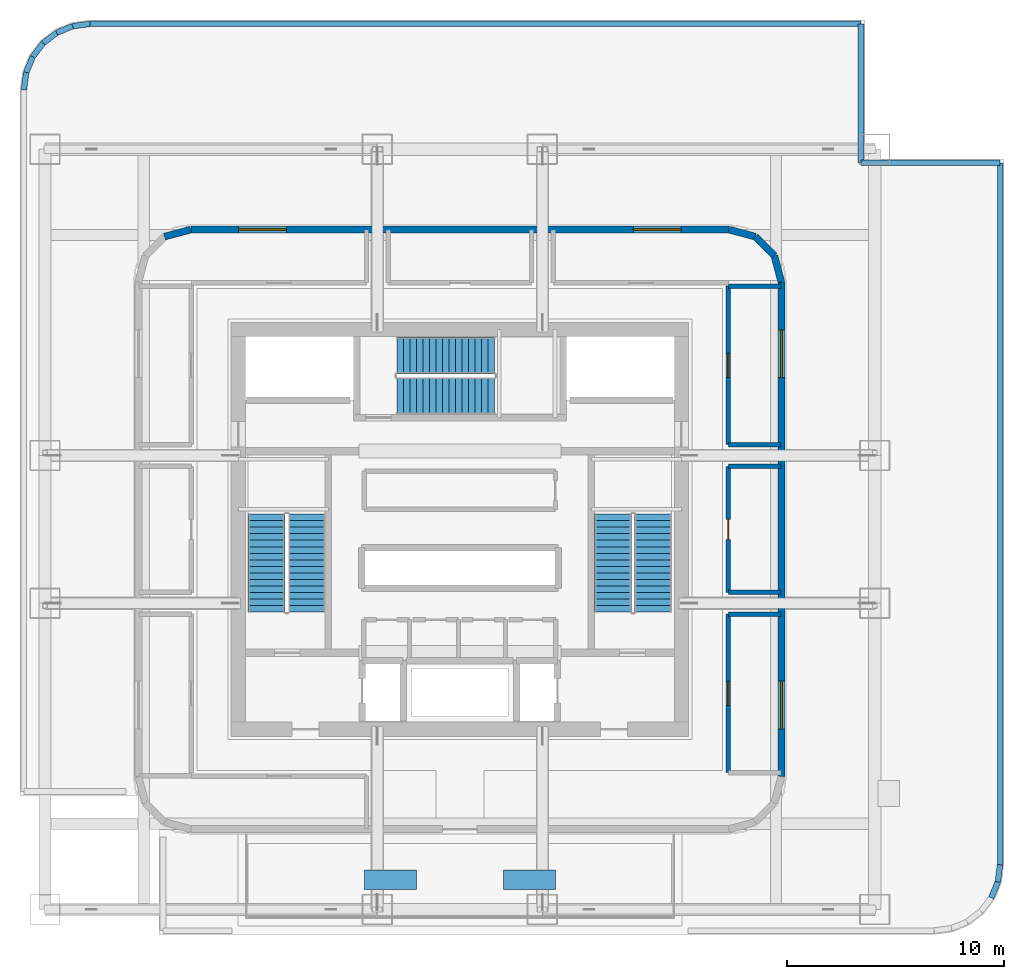
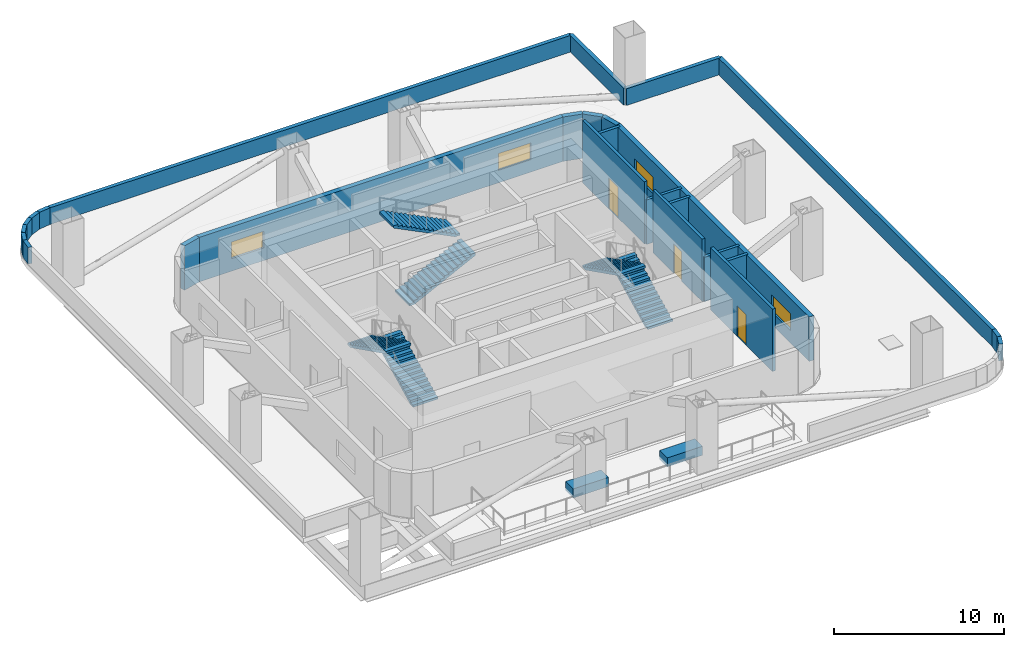
# One storey, part 7 of 10: 26 walls, 6 stair flights, 4 windows, 3 doors, 2 discrete accessories, 7 openings, 3 elements without a shape of their own.
"""IFC4 building model written with IfcOpenShell, lengths in metres."""

import ifcopenshell
import ifcopenshell.guid

model = None  # the IFC model being written
_history = None  # IfcOwnerHistory: only IFC2X3 demands one
_inside = {}  # id of a spatial element -> (the spatial element, [elements in it])
_under = {}  # id of a project, library or spatial element -> (it, [spatial elements below it])
_declared = {}  # id of a project -> (the project, [libraries it declares])
_typed = {}  # id of a type object -> (the type object, [elements of that type])
_made_of = {}  # id of a material, layer set ... -> (it, [elements and type objects made of it])


def new_model(schema):
    """Start an empty IFC model of exactly this schema.

    Asked for "IFC4X3", IfcOpenShell would pick the latest addendum, in which some entities
    have other attributes; the version numbers below select the first issue.
    IFC2X3 requires an IfcOwnerHistory on every rooted entity: one is made here for all.
    """
    global model, _history
    if schema == "IFC4X3":
        model = ifcopenshell.file(schema_version=(4, 3, 0, 0))
    else:
        model = ifcopenshell.file(schema=schema)
    _inside.clear()
    _under.clear()
    _declared.clear()
    _typed.clear()
    _made_of.clear()
    _history = None
    if model.schema == "IFC2X3":
        org = make("IfcOrganization", Name="unknown")
        user = make(
            "IfcPersonAndOrganization",
            ThePerson=make("IfcPerson", FamilyName="unknown"),
            TheOrganization=org,
        )
        app = make(
            "IfcApplication",
            ApplicationDeveloper=org,
            Version="unknown",
            ApplicationFullName="unknown",
            ApplicationIdentifier="unknown",
        )
        _history = make(
            "IfcOwnerHistory",
            OwningUser=user,
            OwningApplication=app,
            ChangeAction="ADDED",
            CreationDate=0,
        )
    return model


def make(cls, **values):
    """One entity of the class cls with the attributes given. An attribute that is None is left unset."""
    return model.create_entity(
        cls, **{name: value for name, value in values.items() if value is not None}
    )


def rooted(cls, **values):
    """An entity with a GlobalId (a new one), such as an element, a storey or a relation."""
    return make(cls, GlobalId=ifcopenshell.guid.new(), OwnerHistory=_history, **values)


def si_unit(unit_type, name, prefix=None):
    """IfcSIUnit, for example si_unit("LENGTHUNIT", "METRE", prefix="MILLI")."""
    return make("IfcSIUnit", UnitType=unit_type, Prefix=prefix, Name=name)


def assignment(units):
    """IfcUnitAssignment: the units of a project."""
    return None if units is None else make("IfcUnitAssignment", Units=units)


def point(xyz):
    """IfcCartesianPoint."""
    return None if xyz is None else make("IfcCartesianPoint", Coordinates=xyz)


def direction(xyz):
    """IfcDirection."""
    return None if xyz is None else make("IfcDirection", DirectionRatios=xyz)


def frame(location, z_axis=None, x_axis=None):
    """IfcAxis2Placement3D, a coordinate frame: its origin and axes. An axis left out is left unset."""
    return make(
        "IfcAxis2Placement3D",
        Location=point(location),
        Axis=direction(z_axis),
        RefDirection=direction(x_axis),
    )


def frame_2d(location, x_axis=None):
    """IfcAxis2Placement2D, a coordinate frame in the plane: its origin and x axis."""
    return make(
        "IfcAxis2Placement2D", Location=point(location), RefDirection=direction(x_axis)
    )


def origin():
    """The frame at (0, 0, 0) with its axes left unset."""
    return frame((0.0, 0.0, 0.0))


def origin_2d():
    """The frame at (0, 0) in the plane with its x axis left unset."""
    return frame_2d((0.0, 0.0))


def place(relative_to, where):
    """IfcLocalPlacement: puts the frame where relative to a parent placement (None: the world)."""
    return make(
        "IfcLocalPlacement", PlacementRelTo=relative_to, RelativePlacement=where
    )


def context(
    kind, dimensions, precision=None, world=None, true_north=None, identifier=None
):
    """IfcGeometricRepresentationContext, for example the 3D "Model" context."""
    return make(
        "IfcGeometricRepresentationContext",
        ContextIdentifier=identifier,
        ContextType=kind,
        CoordinateSpaceDimension=dimensions,
        Precision=precision,
        WorldCoordinateSystem=world,
        TrueNorth=true_north,
    )


def subcontext(parent, identifier, kind, view, scale=None):
    """IfcGeometricRepresentationSubContext, for example "Body" below "Model"."""
    return make(
        "IfcGeometricRepresentationSubContext",
        ContextIdentifier=identifier,
        ContextType=kind,
        ParentContext=parent,
        TargetScale=scale,
        TargetView=view,
    )


def project(units=None, contexts=None):
    """IfcProject with its units and contexts."""
    return rooted(
        "IfcProject",
        Name="project",
        RepresentationContexts=contexts,
        UnitsInContext=assignment(units),
    )


def spatial(cls, under=None, at=None, **own):
    """A site, building, storey or space (cls), placed at a placement, below another one or the project."""
    s = rooted(cls, ObjectPlacement=at, **own)
    if under is not None:
        _under.setdefault(under.id(), (under, []))[1].append(s)
    return s


def polyline(points):
    """IfcPolyline through the points."""
    return make("IfcPolyline", Points=[point(p) for p in points])


def profile(cls, at=None, kind="AREA", **sizes):
    """A parametric profile (cls). Its sizes go by their IFC names, for example OverallWidth=200.0."""
    return make(cls, ProfileType=kind, Position=at, **sizes)


def rectangle(**sizes):
    """IfcRectangleProfileDef."""
    return profile("IfcRectangleProfileDef", **sizes)


def outline(outer, holes=None, kind="AREA"):
    """IfcArbitraryClosedProfileDef: a profile drawn as a closed curve; with holes, ...WithVoids."""
    if holes is None:
        return make("IfcArbitraryClosedProfileDef", ProfileType=kind, OuterCurve=outer)
    return make(
        "IfcArbitraryProfileDefWithVoids",
        ProfileType=kind,
        OuterCurve=outer,
        InnerCurves=holes,
    )


def extrude(swept, where, along, depth):
    """IfcExtrudedAreaSolid: the profile swept, set in the frame where, extruded along a direction by depth."""
    return make(
        "IfcExtrudedAreaSolid",
        SweptArea=swept,
        Position=where,
        ExtrudedDirection=direction(along),
        Depth=depth,
    )


def shape(context_of_items, identifier, shape_type, items):
    """IfcShapeRepresentation: the items that make up one representation, for example the "Body"."""
    return make(
        "IfcShapeRepresentation",
        ContextOfItems=context_of_items,
        RepresentationIdentifier=identifier,
        RepresentationType=shape_type,
        Items=items,
    )


def material(Name=None, Category=None):
    """IfcMaterial."""
    return make("IfcMaterial", Name=Name, Category=Category)


def layer(
    of_material, thickness, ventilated=None, Name=None, Category=None, Priority=None
):
    """IfcMaterialLayer: one layer of a wall or slab, of a material (None: an air gap)."""
    return make(
        "IfcMaterialLayer",
        Material=of_material,
        LayerThickness=thickness,
        IsVentilated=ventilated,
        Name=Name,
        Category=Category,
        Priority=Priority,
    )


def layer_set(layers, Name=None):
    """IfcMaterialLayerSet."""
    return make("IfcMaterialLayerSet", MaterialLayers=layers, LayerSetName=Name)


def made_of(thing, what):
    """Note that an element or type object is made of a material, layer set ...; save() writes the relation."""
    if what is not None:
        _made_of.setdefault(what.id(), (what, []))[1].append(thing)
    return thing


def type_object(cls, material=None, **own):
    """A type object (cls), such as IfcWallType, which elements share."""
    return made_of(rooted(cls, **own), material)


def element(
    cls,
    number,
    at=None,
    inside=None,
    cuts=None,
    type_object=None,
    material=None,
    context=None,
    identifier="Body",
    shape_type=None,
    held_by="IfcProductDefinitionShape",
    body=None,
    shapes=None,
    **own,
):
    """One element of the class cls, such as IfcWall. Its Tag is "e" and its number.

    at: its placement. inside: the storey or other place that contains it. cuts: it is an
    opening in that element (IfcRelVoidsElement). A single representation is given by context,
    identifier, shape_type and body (its items); several are given by shapes. held_by: the class
    of the entity that holds the representations. save() writes the other relations.
    """
    e = rooted(cls, Tag="e%d" % number, ObjectPlacement=at, **own)
    if body is not None:
        shapes = [shape(context, identifier, shape_type, body)]
    if shapes is not None:
        e.Representation = make(held_by, Representations=shapes)
    if inside is not None:
        _inside.setdefault(inside.id(), (inside, []))[1].append(e)
    if cuts is not None:
        rooted(
            "IfcRelVoidsElement", RelatingBuildingElement=cuts, RelatedOpeningElement=e
        )
    if type_object is not None:
        _typed.setdefault(type_object.id(), (type_object, []))[1].append(e)
    return made_of(e, material)


def fill(opening, filler):
    """IfcRelFillsElement: the door or window that sits in an opening."""
    return rooted(
        "IfcRelFillsElement",
        RelatingOpeningElement=opening,
        RelatedBuildingElement=filler,
    )


def aggregate(whole, parts):
    """IfcRelAggregates: a whole, such as a stair, and the parts it consists of."""
    return rooted("IfcRelAggregates", RelatingObject=whole, RelatedObjects=parts)


def save(model, path):
    """Write the relations noted so far, then the file.

    IfcRelAggregates (storeys below a building ...), IfcRelContainedInSpatialStructure (elements
    in a storey), IfcRelDefinesByType, IfcRelAssociatesMaterial and IfcRelDeclares: one each for
    every whole, place, type object, material and project.
    """
    for whole, parts in _under.values():
        aggregate(whole, parts)
    for where, things in _inside.values():
        rooted(
            "IfcRelContainedInSpatialStructure",
            RelatedElements=things,
            RelatingStructure=where,
        )
    for kind, things in _typed.values():
        rooted("IfcRelDefinesByType", RelatedObjects=things, RelatingType=kind)
    for what, things in _made_of.values():
        rooted("IfcRelAssociatesMaterial", RelatedObjects=things, RelatingMaterial=what)
    for by, libraries in _declared.values():
        rooted("IfcRelDeclares", RelatingContext=by, RelatedDefinitions=libraries)
    model.write(path)


model = new_model("IFC4")

# Units and contexts
model_context = context("Model", 3, precision=1e-05, world=origin(), true_north=direction((0.0, 1.0)))
body_context = subcontext(model_context, "Body", "Model", "MODEL_VIEW")
ifc_project = project(units=[si_unit("LENGTHUNIT", "METRE"), si_unit("AREAUNIT", "SQUARE_METRE"), si_unit("VOLUMEUNIT", "CUBIC_METRE"), si_unit("PLANEANGLEUNIT", "RADIAN"), si_unit("MASSUNIT", "GRAM", prefix="KILO")], contexts=[model_context])

# Site, building, storey
site_placement = place(None, origin())
site = spatial("IfcSite", under=ifc_project, at=site_placement, CompositionType="ELEMENT")
building_placement = place(site_placement, origin())
building = spatial("IfcBuilding", under=site, at=building_placement, Name="Punatoya Terracotta Tower", CompositionType="ELEMENT")
storey_placement = place(building_placement, frame((0.0, 0.0, 125.39990234375)))
storey = spatial("IfcBuildingStorey", under=building, at=storey_placement, Name="L29", CompositionType="ELEMENT", Elevation=125.39990234375)

# Wall, openings, windows
ifc_material_1 = material(Name="Precast concrete C40/50", Category="concrete")
ifc_layer_1 = layer(ifc_material_1, 0.320068359375)
ifc_layer_set_1 = layer_set([ifc_layer_1], Name="Precast concrete C40/50")
wall_type_1 = type_object("IfcWallType", Name="WL-EXT-320", PredefinedType="SOLIDWALL", material=ifc_layer_set_1)
wall_1_placement = place(storey_placement, frame((14.800048828125, -11.386962890625, 0.0), z_axis=(0.0, 0.0, 1.0), x_axis=(0.0, 1.0, 0.0)))
wall_1 = element("IfcWall", 1, at=wall_1_placement, inside=storey, type_object=wall_type_1, Name="L29 Terracotta Louvre Plant Enclosure E", PredefinedType="SOLIDWALL", context=body_context, shape_type="SweptSolid", body=[
    extrude(rectangle(XDim=22.77392578125, YDim=0.320068359375, at=frame_2d((11.386962890625, 0.0))), origin(), (0.0, 0.0, 1.0), 3.194091796875),
])
opening_1_placement = place(wall_1_placement, frame((2.199951171875, 0.0, 0.89990234375)))
opening_1 = element("IfcOpeningElement", 2, at=opening_1_placement, cuts=wall_1, Name="Opening WN-09", PredefinedType="OPENING", context=body_context, shape_type="SweptSolid", body=[
    extrude(rectangle(XDim=2.199951171875, YDim=1.199951171875, at=frame_2d((1.10009765625, 0.60009765625))), frame((0.0, 0.169921875, 0.0), z_axis=(0.0, -1.0, 0.0), x_axis=(1.0, 0.0, 0.0)), (0.0, 0.0, 1.0), 0.340087890625),
])
opening_2_placement = place(wall_1_placement, frame((18.373779296875, 0.0, 0.89990234375)))
opening_2 = element("IfcOpeningElement", 3, at=opening_2_placement, cuts=wall_1, Name="Opening WN-09", PredefinedType="OPENING", context=body_context, shape_type="SweptSolid", body=[
    extrude(rectangle(XDim=2.199951171875, YDim=1.199951171875, at=frame_2d((1.10009765625, 0.60009765625))), frame((0.0, 0.169921875, 0.0), z_axis=(0.0, -1.0, 0.0), x_axis=(1.0, 0.0, 0.0)), (0.0, 0.0, 1.0), 0.340087890625),
])
ifc_material_2 = material(Name="Aluminium 6063-T6 + Double Low-E Glass", Category="aluminium")
window_type = type_object("IfcWindowType", Name="WIN-CLR-2200", PartitioningType="SINGLE_PANEL", PredefinedType="WINDOW", material=ifc_material_2)
window_1_placement = place(opening_1_placement, origin())
window_1 = element("IfcWindow", 4, at=window_1_placement, inside=storey, type_object=window_type, Name="L29 Refuge Daylight Window E1", OverallHeight=1.199951171875, OverallWidth=2.199951171875, PartitioningType="SINGLE_PANEL", PredefinedType="WINDOW", context=body_context, shape_type="SweptSolid", body=[
    extrude(rectangle(XDim=2.199951171875, YDim=1.199951171875, at=frame_2d((1.10009765625, 0.60009765625))), frame((0.0, 0.030029296875, 0.0), z_axis=(0.0, -1.0, 0.0), x_axis=(1.0, 0.0, 0.0)), (0.0, 0.0, 1.0), 0.06005859375),
])
fill(opening_1, window_1)
window_2_placement = place(opening_2_placement, origin())
window_2 = element("IfcWindow", 5, at=window_2_placement, inside=storey, type_object=window_type, Name="L29 Refuge Daylight Window E2", OverallHeight=1.199951171875, OverallWidth=2.199951171875, PartitioningType="SINGLE_PANEL", PredefinedType="WINDOW", context=body_context, shape_type="SweptSolid", body=[
    extrude(rectangle(XDim=2.199951171875, YDim=1.199951171875, at=frame_2d((1.10009765625, 0.60009765625))), frame((0.0, 0.030029296875, 0.0), z_axis=(0.0, -1.0, 0.0), x_axis=(1.0, 0.0, 0.0)), (0.0, 0.0, 1.0), 0.06005859375),
])
fill(opening_2, window_2)

# Walls
wall_2_placement = place(storey_placement, frame((14.800048828125, 11.386962890625, 0.0), z_axis=(0.0, 0.0, 1.0), x_axis=(-0.25748094776, 0.966283375382, 0.0)))
element("IfcWall", 6, at=wall_2_placement, inside=storey, type_object=wall_type_1, Name="L29 Rounded Terracotta Corner Pier 06", PredefinedType="SOLIDWALL", context=body_context, shape_type="SweptSolid", body=[
    extrude(rectangle(XDim=1.25439453125, YDim=0.320068359375, at=frame_2d((0.627197265625, 0.0))), origin(), (0.0, 0.0, 1.0), 3.194091796875),
])
wall_3_placement = place(storey_placement, frame((14.47705078125, 12.59912109375, 0.0), z_axis=(0.0, 0.0, 1.0), x_axis=(-0.707106781187, 0.707106781187, 0.0)))
element("IfcWall", 7, at=wall_3_placement, inside=storey, type_object=wall_type_1, Name="L29 Rounded Terracotta Corner Pier 07", PredefinedType="SOLIDWALL", context=body_context, shape_type="SweptSolid", body=[
    extrude(rectangle(XDim=1.24169921875, YDim=0.320068359375, at=frame_2d((0.620849609375, 0.0))), origin(), (0.0, 0.0, 1.0), 3.194091796875),
])
wall_4_placement = place(storey_placement, frame((13.59912109375, 13.47705078125, 0.0), z_axis=(0.0, 0.0, 1.0), x_axis=(-0.966283375382, 0.25748094776, 0.0)))
element("IfcWall", 8, at=wall_4_placement, inside=storey, type_object=wall_type_1, Name="L29 Rounded Terracotta Corner Pier 08", PredefinedType="SOLIDWALL", context=body_context, shape_type="SweptSolid", body=[
    extrude(rectangle(XDim=1.25439453125, YDim=0.320068359375, at=frame_2d((0.627197265625, 0.0))), origin(), (0.0, 0.0, 1.0), 3.194091796875),
])

# Wall, openings, windows
wall_5_placement = place(storey_placement, frame((12.386962890625, 13.800048828125, 0.0), z_axis=(0.0, 0.0, 1.0), x_axis=(-1.0, 0.0, 0.0)))
wall_5 = element("IfcWall", 9, at=wall_5_placement, inside=storey, type_object=wall_type_1, Name="L29 Terracotta Louvre Plant Enclosure N", PredefinedType="SOLIDWALL", context=body_context, shape_type="SweptSolid", body=[
    extrude(rectangle(XDim=24.77392578125, YDim=0.320068359375, at=frame_2d((12.386962890625, 0.0))), origin(), (0.0, 0.0, 1.0), 3.194091796875),
])
opening_3_placement = place(wall_5_placement, frame((2.199951171875, 0.0, 0.89990234375)))
opening_3 = element("IfcOpeningElement", 10, at=opening_3_placement, cuts=wall_5, Name="Opening WN-09", PredefinedType="OPENING", context=body_context, shape_type="SweptSolid", body=[
    extrude(rectangle(XDim=2.199951171875, YDim=1.199951171875, at=frame_2d((1.10009765625, 0.60009765625))), frame((0.0, 0.169921875, 0.0), z_axis=(0.0, -1.0, 0.0), x_axis=(1.0, 0.0, 0.0)), (0.0, 0.0, 1.0), 0.340087890625),
])
opening_4_placement = place(wall_5_placement, frame((20.373779296875, 0.0, 0.89990234375)))
opening_4 = element("IfcOpeningElement", 11, at=opening_4_placement, cuts=wall_5, Name="Opening WN-09", PredefinedType="OPENING", context=body_context, shape_type="SweptSolid", body=[
    extrude(rectangle(XDim=2.199951171875, YDim=1.199951171875, at=frame_2d((1.10009765625, 0.60009765625))), frame((0.0, 0.169921875, 0.0), z_axis=(0.0, -1.0, 0.0), x_axis=(1.0, 0.0, 0.0)), (0.0, 0.0, 1.0), 0.340087890625),
])
window_3_placement = place(opening_3_placement, origin())
window_3 = element("IfcWindow", 12, at=window_3_placement, inside=storey, type_object=window_type, Name="L29 Refuge Daylight Window N1", OverallHeight=1.199951171875, OverallWidth=2.199951171875, PartitioningType="SINGLE_PANEL", PredefinedType="WINDOW", context=body_context, shape_type="SweptSolid", body=[
    extrude(rectangle(XDim=2.199951171875, YDim=1.199951171875, at=frame_2d((1.10009765625, 0.60009765625))), frame((0.0, 0.030029296875, 0.0), z_axis=(0.0, -1.0, 0.0), x_axis=(1.0, 0.0, 0.0)), (0.0, 0.0, 1.0), 0.06005859375),
])
fill(opening_3, window_3)
window_4_placement = place(opening_4_placement, origin())
window_4 = element("IfcWindow", 13, at=window_4_placement, inside=storey, type_object=window_type, Name="L29 Refuge Daylight Window N2", OverallHeight=1.199951171875, OverallWidth=2.199951171875, PartitioningType="SINGLE_PANEL", PredefinedType="WINDOW", context=body_context, shape_type="SweptSolid", body=[
    extrude(rectangle(XDim=2.199951171875, YDim=1.199951171875, at=frame_2d((1.10009765625, 0.60009765625))), frame((0.0, 0.030029296875, 0.0), z_axis=(0.0, -1.0, 0.0), x_axis=(1.0, 0.0, 0.0)), (0.0, 0.0, 1.0), 0.06005859375),
])
fill(opening_4, window_4)

# Walls
wall_6_placement = place(storey_placement, frame((-12.386962890625, 13.800048828125, 0.0), z_axis=(0.0, 0.0, 1.0), x_axis=(-0.966283375382, -0.25748094776, 0.0)))
element("IfcWall", 14, at=wall_6_placement, inside=storey, type_object=wall_type_1, Name="L29 Rounded Terracotta Corner Pier 10", PredefinedType="SOLIDWALL", context=body_context, shape_type="SweptSolid", body=[
    extrude(rectangle(XDim=1.25439453125, YDim=0.320068359375, at=frame_2d((0.627197265625, 0.0))), origin(), (0.0, 0.0, 1.0), 3.194091796875),
])
ifc_material_3 = material(Name="Concrete C40/50", Category="concrete")
ifc_layer_2 = layer(ifc_material_3, 0.199951171875)
ifc_layer_set_2 = layer_set([ifc_layer_2], Name="Concrete C40/50")
wall_type_2 = type_object("IfcWallType", Name="WL-INT-200", PredefinedType="SOLIDWALL", material=ifc_layer_set_2)
wall_7_placement = place(storey_placement, frame((12.360107421875, -3.89990234375, 0.0), z_axis=(0.0, 0.0, 1.0), x_axis=(1.0, 0.0, 0.0)))
element("IfcWall", 15, at=wall_7_placement, inside=storey, type_object=wall_type_2, Name="L29 East Outrigger Truss & Heat-Exchanger Plant Room (South Bay) Partition 25", PredefinedType="SOLIDWALL", context=body_context, shape_type="SweptSolid", body=[
    extrude(rectangle(XDim=2.419921875, YDim=0.199951171875, at=frame_2d((1.2099609375, 0.0))), origin(), (0.0, 0.0, 1.0), 3.194091796875),
])

# Wall, opening, door
wall_8_placement = place(storey_placement, frame((12.360107421875, -11.199951171875, 0.0), z_axis=(0.0, 0.0, 1.0), x_axis=(0.0, 1.0, 0.0)))
wall_8 = element("IfcWall", 16, at=wall_8_placement, inside=storey, type_object=wall_type_2, Name="L29 East Outrigger Truss & Heat-Exchanger Plant Room (South Bay) Partition 27", PredefinedType="SOLIDWALL", context=body_context, shape_type="SweptSolid", body=[
    extrude(rectangle(XDim=7.300048828125, YDim=0.199951171875, at=frame_2d((3.64990234375, 0.0))), origin(), (0.0, 0.0, 1.0), 4.47998046875),
])
opening_5_placement = place(wall_8_placement, frame((3.10009765625, 0.0, 0.0)))
opening_5 = element("IfcOpeningElement", 17, at=opening_5_placement, cuts=wall_8, Name="Opening FD-P1", PredefinedType="OPENING", context=body_context, shape_type="SweptSolid", body=[
    extrude(rectangle(XDim=1.10009765625, YDim=2.199951171875, at=frame_2d((0.550048828125, 1.10009765625))), frame((0.0, 0.10986328125, 0.0), z_axis=(0.0, -1.0, 0.0), x_axis=(1.0, 0.0, 0.0)), (0.0, 0.0, 1.0), 0.219970703125),
])
ifc_material_4 = material(Name="Galvanised Steel Plant Fire Door", Category="steel")
door_type_1 = type_object("IfcDoorType", Name="DR-PLT-1100", OperationType="NOTDEFINED", PredefinedType="DOOR", material=ifc_material_4)
door_1_placement = place(opening_5_placement, origin())
door_1 = element("IfcDoor", 18, at=door_1_placement, inside=storey, type_object=door_type_1, Name="L29 East Outrigger Truss & Heat-Exchanger Plant Room (South Bay) Fire Door", OperationType="SINGLE_SWING_LEFT", OverallHeight=2.199951171875, OverallWidth=1.10009765625, PredefinedType="DOOR", context=body_context, shape_type="SweptSolid", body=[
    extrude(rectangle(XDim=1.10009765625, YDim=2.199951171875, at=frame_2d((0.550048828125, 1.10009765625))), frame((0.0, 0.02490234375, 0.0), z_axis=(0.0, -1.0, 0.0), x_axis=(1.0, 0.0, 0.0)), (0.0, 0.0, 1.0), 0.050048828125),
])
fill(opening_5, door_1)

wall_9_placement = place(storey_placement, frame((12.360107421875, -2.89990234375, 0.0), z_axis=(0.0, 0.0, 1.0), x_axis=(0.0, 1.0, 0.0)))
wall_9 = element("IfcWall", 19, at=wall_9_placement, inside=storey, type_object=wall_type_2, Name="L29 East Outrigger Truss & Heat-Exchanger Plant Room (Central Bay) Partition 28", PredefinedType="SOLIDWALL", context=body_context, shape_type="SweptSolid", body=[
    extrude(rectangle(XDim=5.7998046875, YDim=0.199951171875, at=frame_2d((2.89990234375, 0.0))), origin(), (0.0, 0.0, 1.0), 4.47998046875),
])
opening_6_placement = place(wall_9_placement, frame((2.43994140625, 0.0, 0.0)))
opening_6 = element("IfcOpeningElement", 20, at=opening_6_placement, cuts=wall_9, Name="Opening FD-R1", PredefinedType="OPENING", context=body_context, shape_type="SweptSolid", body=[
    extrude(rectangle(XDim=0.919921875, YDim=2.10009765625, at=frame_2d((0.4599609375, 1.050048828125))), frame((0.0, 0.10986328125, 0.0), z_axis=(0.0, -1.0, 0.0), x_axis=(1.0, 0.0, 0.0)), (0.0, 0.0, 1.0), 0.219970703125),
])
ifc_material_5 = material(Name="Galvanised Steel Riser Fire Access Door", Category="steel")
door_type_2 = type_object("IfcDoorType", Name="DR-RSR-920", OperationType="NOTDEFINED", PredefinedType="DOOR", material=ifc_material_5)
door_2_placement = place(opening_6_placement, origin())
door_2 = element("IfcDoor", 21, at=door_2_placement, inside=storey, type_object=door_type_2, Name="L29 East Outrigger Truss & Heat-Exchanger Plant Room (Central Bay) Fire Door", OperationType="SINGLE_SWING_RIGHT", OverallHeight=2.10009765625, OverallWidth=0.919921875, PredefinedType="DOOR", context=body_context, shape_type="SweptSolid", body=[
    extrude(rectangle(XDim=0.919921875, YDim=2.10009765625, at=frame_2d((0.4599609375, 1.050048828125))), frame((0.0, 0.02490234375, 0.0), z_axis=(0.0, -1.0, 0.0), x_axis=(1.0, 0.0, 0.0)), (0.0, 0.0, 1.0), 0.050048828125),
])
fill(opening_6, door_2)

# Walls
for number, where, z_axis, x_axis, name in (
    (22, (12.360107421875, 2.89990234375, 0.0), (0.0, 0.0, 1.0), (1.0, 0.0, 0.0), "L29 East Outrigger Truss & Heat-Exchanger Plant Room (Central Bay) Partition 29"),
    (23, (14.780029296875, -2.89990234375, 0.0), (0.0, 0.0, 1.0), (-1.0, 0.0, 0.0), "L29 East Outrigger Truss & Heat-Exchanger Plant Room (Central Bay) Partition 30"),
    (24, (14.780029296875, 3.89990234375, 0.0), (0.0, 0.0, 1.0), (-1.0, 0.0, 0.0), "L29 East Outrigger Truss & Heat-Exchanger Plant Room (North Bay) Partition 31"),
):
    element("IfcWall", number, at=place(storey_placement, frame(where, z_axis=z_axis, x_axis=x_axis)), inside=storey, type_object=wall_type_2, Name=name, PredefinedType="SOLIDWALL", context=body_context, shape_type="SweptSolid", body=[
        extrude(rectangle(XDim=2.419921875, YDim=0.199951171875, at=frame_2d((1.2099609375, 0.0))), origin(), (0.0, 0.0, 1.0), 3.194091796875),
    ])

# Wall, opening, door
wall_10_placement = place(storey_placement, frame((12.360107421875, 3.89990234375, 0.0), z_axis=(0.0, 0.0, 1.0), x_axis=(0.0, 1.0, 0.0)))
wall_10 = element("IfcWall", 25, at=wall_10_placement, inside=storey, type_object=wall_type_2, Name="L29 East Outrigger Truss & Heat-Exchanger Plant Room (North Bay) Partition 32", PredefinedType="SOLIDWALL", context=body_context, shape_type="SweptSolid", body=[
    extrude(rectangle(XDim=7.300048828125, YDim=0.199951171875, at=frame_2d((3.64990234375, 0.0))), origin(), (0.0, 0.0, 1.0), 4.47998046875),
])
opening_7_placement = place(wall_10_placement, frame((3.10009765625, 0.0, 0.0)))
opening_7 = element("IfcOpeningElement", 26, at=opening_7_placement, cuts=wall_10, Name="Opening FD-P1", PredefinedType="OPENING", context=body_context, shape_type="SweptSolid", body=[
    extrude(rectangle(XDim=1.10009765625, YDim=2.199951171875, at=frame_2d((0.550048828125, 1.10009765625))), frame((0.0, 0.10986328125, 0.0), z_axis=(0.0, -1.0, 0.0), x_axis=(1.0, 0.0, 0.0)), (0.0, 0.0, 1.0), 0.219970703125),
])
door_3_placement = place(opening_7_placement, origin())
door_3 = element("IfcDoor", 27, at=door_3_placement, inside=storey, type_object=door_type_1, Name="L29 East Outrigger Truss & Heat-Exchanger Plant Room (North Bay) Fire Door", OperationType="SINGLE_SWING_LEFT", OverallHeight=2.199951171875, OverallWidth=1.10009765625, PredefinedType="DOOR", context=body_context, shape_type="SweptSolid", body=[
    extrude(rectangle(XDim=1.10009765625, YDim=2.199951171875, at=frame_2d((0.550048828125, 1.10009765625))), frame((0.0, 0.02490234375, 0.0), z_axis=(0.0, -1.0, 0.0), x_axis=(1.0, 0.0, 0.0)), (0.0, 0.0, 1.0), 0.050048828125),
])
fill(opening_7, door_3)

# Walls
wall_11_placement = place(storey_placement, frame((12.360107421875, 11.199951171875, 0.0), z_axis=(0.0, 0.0, 1.0), x_axis=(1.0, 0.0, 0.0)))
element("IfcWall", 28, at=wall_11_placement, inside=storey, type_object=wall_type_2, Name="L29 East Outrigger Truss & Heat-Exchanger Plant Room (North Bay) Partition 33", PredefinedType="SOLIDWALL", context=body_context, shape_type="SweptSolid", body=[
    extrude(rectangle(XDim=2.419921875, YDim=0.199951171875, at=frame_2d((1.2099609375, 0.0))), origin(), (0.0, 0.0, 1.0), 3.194091796875),
])
ifc_layer_3 = layer(ifc_material_1, 0.260009765625)
ifc_layer_set_3 = layer_set([ifc_layer_3], Name="Precast concrete C40/50")
wall_type_3 = type_object("IfcWallType", Name="WL-PAR-260", PredefinedType="PARAPET", material=ifc_layer_set_3)
wall_12_placement = place(storey_placement, frame((24.464111328125, -16.959228515625, 0.0), z_axis=(0.0, 0.0, 1.0), x_axis=(0.38263454961, 0.923899778896, 0.0)))
element("IfcWall", 29, at=wall_12_placement, inside=storey, type_object=wall_type_3, Name="L29 Roof Parapet Wall PAR-L29-RF-05", PredefinedType="PARAPET", context=body_context, shape_type="SweptSolid", body=[
    extrude(rectangle(XDim=0.7880859375, YDim=0.260009765625, at=frame_2d((0.39404296875, 0.0))), origin(), (0.0, 0.0, 1.0), 1.2001953125),
])
wall_13_placement = place(storey_placement, frame((24.765625, -16.231201171875, 0.0), z_axis=(0.0, 0.0, 1.0), x_axis=(0.130644014367, 0.991429342672, 0.0)))
element("IfcWall", 30, at=wall_13_placement, inside=storey, type_object=wall_type_3, Name="L29 Roof Parapet Wall PAR-L29-RF-06", PredefinedType="PARAPET", context=body_context, shape_type="SweptSolid", body=[
    extrude(rectangle(XDim=0.7998046875, YDim=0.260009765625, at=frame_2d((0.39990234375, 0.0))), origin(), (0.0, 0.0, 1.0), 1.2001953125),
])
wall_14_placement = place(storey_placement, frame((24.8701171875, -15.438232421875, 0.0), z_axis=(0.0, 0.0, 1.0), x_axis=(0.0, 1.0, 0.0)))
element("IfcWall", 31, at=wall_14_placement, inside=storey, type_object=wall_type_3, Name="L29 Roof Parapet Wall PAR-L29-RF-07", PredefinedType="PARAPET", context=body_context, shape_type="SweptSolid", body=[
    extrude(rectangle(XDim=32.308349609375, YDim=0.260009765625, at=frame_2d((16.154296875, 0.0))), origin(), (0.0, 0.0, 1.0), 1.2001953125),
])
wall_15_placement = place(storey_placement, frame((24.8701171875, 16.8701171875, 0.0), z_axis=(0.0, 0.0, 1.0), x_axis=(-1.0, 0.0, 0.0)))
element("IfcWall", 32, at=wall_15_placement, inside=storey, type_object=wall_type_3, Name="L29 Roof Parapet Wall PAR-L29-RF-08", PredefinedType="PARAPET", context=body_context, shape_type="SweptSolid", body=[
    extrude(rectangle(XDim=6.400146484375, YDim=0.260009765625, at=frame_2d((3.2001953125, 0.0))), origin(), (0.0, 0.0, 1.0), 1.2001953125),
])
wall_16_placement = place(storey_placement, frame((18.469970703125, 16.8701171875, 0.0), z_axis=(0.0, 0.0, 1.0), x_axis=(0.0, 1.0, 0.0)))
element("IfcWall", 33, at=wall_16_placement, inside=storey, type_object=wall_type_3, Name="L29 Roof Parapet Wall PAR-L29-RF-09", PredefinedType="PARAPET", context=body_context, shape_type="SweptSolid", body=[
    extrude(rectangle(XDim=6.39990234375, YDim=0.260009765625, at=frame_2d((3.199951171875, 0.0))), origin(), (0.0, 0.0, 1.0), 1.2001953125),
])
wall_17_placement = place(storey_placement, frame((18.469970703125, 23.27001953125, 0.0), z_axis=(0.0, 0.0, 1.0), x_axis=(-1.0, 0.0, 0.0)))
element("IfcWall", 34, at=wall_17_placement, inside=storey, type_object=wall_type_3, Name="L29 Roof Parapet Wall PAR-L29-RF-10", PredefinedType="PARAPET", context=body_context, shape_type="SweptSolid", body=[
    extrude(rectangle(XDim=35.508056640625, YDim=0.260009765625, at=frame_2d((17.75390625, 0.0))), origin(), (0.0, 0.0, 1.0), 1.2001953125),
])
wall_18_placement = place(storey_placement, frame((-17.0380859375, 23.27001953125, 0.0), z_axis=(0.0, 0.0, 1.0), x_axis=(-0.991434550152, -0.130604489832, 0.0)))
element("IfcWall", 35, at=wall_18_placement, inside=storey, type_object=wall_type_3, Name="L29 Roof Parapet Wall PAR-L29-RF-11", PredefinedType="PARAPET", context=body_context, shape_type="SweptSolid", body=[
    extrude(rectangle(XDim=0.800048828125, YDim=0.260009765625, at=frame_2d((0.39990234375, 0.0))), origin(), (0.0, 0.0, 1.0), 1.2001953125),
])
wall_19_placement = place(storey_placement, frame((-17.831298828125, 23.16552734375, 0.0), z_axis=(0.0, 0.0, 1.0), x_axis=(-0.923854398102, -0.38274410656, 0.0)))
element("IfcWall", 36, at=wall_19_placement, inside=storey, type_object=wall_type_3, Name="L29 Roof Parapet Wall PAR-L29-RF-12", PredefinedType="PARAPET", context=body_context, shape_type="SweptSolid", body=[
    extrude(rectangle(XDim=0.787841796875, YDim=0.260009765625, at=frame_2d((0.39404296875, 0.0))), origin(), (0.0, 0.0, 1.0), 1.2001953125),
])
wall_20_placement = place(storey_placement, frame((-18.55908203125, 22.864013671875, 0.0), z_axis=(0.0, 0.0, 1.0), x_axis=(-0.793371954706, -0.608737169464, 0.0)))
element("IfcWall", 37, at=wall_20_placement, inside=storey, type_object=wall_type_3, Name="L29 Roof Parapet Wall PAR-L29-RF-13", PredefinedType="PARAPET", context=body_context, shape_type="SweptSolid", body=[
    extrude(rectangle(XDim=0.7880859375, YDim=0.260009765625, at=frame_2d((0.39404296875, 0.0))), origin(), (0.0, 0.0, 1.0), 1.2001953125),
])
wall_21_placement = place(storey_placement, frame((-19.184326171875, 22.38427734375, 0.0), z_axis=(0.0, 0.0, 1.0), x_axis=(-0.608886809997, -0.793257116332, 0.0)))
element("IfcWall", 38, at=wall_21_placement, inside=storey, type_object=wall_type_3, Name="L29 Roof Parapet Wall PAR-L29-RF-14", PredefinedType="PARAPET", context=body_context, shape_type="SweptSolid", body=[
    extrude(rectangle(XDim=0.787841796875, YDim=0.260009765625, at=frame_2d((0.39404296875, 0.0))), origin(), (0.0, 0.0, 1.0), 1.2001953125),
])
wall_22_placement = place(storey_placement, frame((-19.6640625, 21.75927734375, 0.0), z_axis=(0.0, 0.0, 1.0), x_axis=(-0.38263454961, -0.923899778896, 0.0)))
element("IfcWall", 39, at=wall_22_placement, inside=storey, type_object=wall_type_3, Name="L29 Roof Parapet Wall PAR-L29-RF-15", PredefinedType="PARAPET", context=body_context, shape_type="SweptSolid", body=[
    extrude(rectangle(XDim=0.7880859375, YDim=0.260009765625, at=frame_2d((0.39404296875, 0.0))), origin(), (0.0, 0.0, 1.0), 1.2001953125),
])
wall_23_placement = place(storey_placement, frame((-19.965576171875, 21.03125, 0.0), z_axis=(0.0, 0.0, 1.0), x_axis=(-0.130644014367, -0.991429342672, 0.0)))
element("IfcWall", 40, at=wall_23_placement, inside=storey, type_object=wall_type_3, Name="L29 Roof Parapet Wall PAR-L29-RF-16", PredefinedType="PARAPET", context=body_context, shape_type="SweptSolid", body=[
    extrude(rectangle(XDim=0.7998046875, YDim=0.260009765625, at=frame_2d((0.39990234375, 0.0))), origin(), (0.0, 0.0, 1.0), 1.2001953125),
])

# Stair, stair flights
stair_type_1 = type_object("IfcStairType", Name="STR-CORE-1550", PredefinedType="HALF_TURN_STAIR", material=ifc_material_3)
stair_1_placement = place(storey_placement, origin())
stair_1 = element("IfcStair", 41, at=stair_1_placement, inside=storey, type_object=stair_type_1, Name="L29 Protected Core Exit Stair ST-1", PredefinedType="HALF_TURN_STAIR")
stair_flight_type_1 = type_object("IfcStairFlightType", Name="SFL-CORE-1550", PredefinedType="STRAIGHT", material=ifc_material_3)
stair_flight_1_placement = place(storey_placement, frame((-7.050048828125, -3.800048828125, 0.0), z_axis=(0.0, 0.0, 1.0), x_axis=(0.0, 1.0, 0.0)))
stair_flight_1 = element("IfcStairFlight", 42, at=stair_flight_1_placement, type_object=stair_flight_type_1, Name="ST-1 flight 1", NumberOfRisers=16, NumberOfTreads=15, PredefinedType="STRAIGHT", RiserHeight=0.15, TreadLength=0.3, context=body_context, shape_type="SweptSolid", body=[
    extrude(outline(polyline([(0.0, 0.0), (0.0, 0.14990234375), (0.300048828125, 0.14990234375), (0.300048828125, 0.300048828125), (0.60009765625, 0.300048828125), (0.60009765625, 0.449951171875), (0.89990234375, 0.449951171875), (0.89990234375, 0.60009765625), (1.199951171875, 0.60009765625), (1.199951171875, 0.75), (1.5, 0.75), (1.5, 0.89990234375), (1.800048828125, 0.89990234375), (1.800048828125, 1.050048828125), (2.10009765625, 1.050048828125), (2.10009765625, 1.199951171875), (2.39990234375, 1.199951171875), (2.39990234375, 1.35009765625), (2.699951171875, 1.35009765625), (2.699951171875, 1.5), (3.0, 1.5), (3.0, 1.64990234375), (3.300048828125, 1.64990234375), (3.300048828125, 1.800048828125), (3.60009765625, 1.800048828125), (3.60009765625, 1.949951171875), (3.89990234375, 1.949951171875), (3.89990234375, 2.10009765625), (4.199951171875, 2.10009765625), (4.199951171875, 2.25), (4.5, 2.25), (4.5, 2.39990234375), (4.5, 2.08251953125), (0.335205078125, 0.0), (0.0, 0.0)])), frame((0.0, 0.85009765625, 0.0), z_axis=(0.0, -1.0, 0.0), x_axis=(1.0, 0.0, 0.0)), (0.0, 0.0, 1.0), 1.699951171875),
])
stair_flight_2_placement = place(storey_placement, frame((-8.89990234375, 0.699951171875, 2.400146484375), z_axis=(0.0, 0.0, 1.0), x_axis=(0.0, -1.0, 0.0)))
stair_flight_2 = element("IfcStairFlight", 43, at=stair_flight_2_placement, type_object=stair_flight_type_1, Name="ST-1 flight 2", NumberOfRisers=16, NumberOfTreads=15, PredefinedType="STRAIGHT", RiserHeight=0.15, TreadLength=0.3, context=body_context, shape_type="SweptSolid", body=[
    extrude(outline(polyline([(0.0, 0.0), (0.0, 0.14990234375), (0.300048828125, 0.14990234375), (0.300048828125, 0.300048828125), (0.60009765625, 0.300048828125), (0.60009765625, 0.449951171875), (0.89990234375, 0.449951171875), (0.89990234375, 0.60009765625), (1.199951171875, 0.60009765625), (1.199951171875, 0.75), (1.5, 0.75), (1.5, 0.89990234375), (1.800048828125, 0.89990234375), (1.800048828125, 1.050048828125), (2.10009765625, 1.050048828125), (2.10009765625, 1.199951171875), (2.39990234375, 1.199951171875), (2.39990234375, 1.35009765625), (2.699951171875, 1.35009765625), (2.699951171875, 1.5), (3.0, 1.5), (3.0, 1.64990234375), (3.300048828125, 1.64990234375), (3.300048828125, 1.800048828125), (3.60009765625, 1.800048828125), (3.60009765625, 1.949951171875), (3.89990234375, 1.949951171875), (3.89990234375, 2.10009765625), (4.199951171875, 2.10009765625), (4.199951171875, 2.25), (4.5, 2.25), (4.5, 2.39990234375), (4.5, 2.08251953125), (0.335205078125, 0.0), (0.0, 0.0)])), frame((0.0, 0.85009765625, 0.0), z_axis=(0.0, -1.0, 0.0), x_axis=(1.0, 0.0, 0.0)), (0.0, 0.0, 1.0), 1.699951171875),
])
aggregate(stair_1, [stair_flight_1, stair_flight_2])

stair_type_2 = type_object("IfcStairType", Name="STR-LOB-1650", PredefinedType="HALF_TURN_STAIR", material=ifc_material_3)
stair_2_placement = place(storey_placement, origin())
stair_2 = element("IfcStair", 44, at=stair_2_placement, inside=storey, type_object=stair_type_2, Name="L29 Protected Core Exit Stair ST-2", PredefinedType="HALF_TURN_STAIR")
stair_flight_type_2 = type_object("IfcStairFlightType", Name="SFL-LOB-1650", PredefinedType="STRAIGHT", material=ifc_material_3)
stair_flight_3_placement = place(storey_placement, frame((8.89990234375, -3.800048828125, 0.0), z_axis=(0.0, 0.0, 1.0), x_axis=(0.0, 1.0, 0.0)))
stair_flight_3 = element("IfcStairFlight", 45, at=stair_flight_3_placement, type_object=stair_flight_type_2, Name="ST-2 flight 1", NumberOfRisers=16, NumberOfTreads=15, PredefinedType="STRAIGHT", RiserHeight=0.15, TreadLength=0.3, context=body_context, shape_type="SweptSolid", body=[
    extrude(outline(polyline([(0.0, 0.0), (0.0, 0.14990234375), (0.300048828125, 0.14990234375), (0.300048828125, 0.300048828125), (0.60009765625, 0.300048828125), (0.60009765625, 0.449951171875), (0.89990234375, 0.449951171875), (0.89990234375, 0.60009765625), (1.199951171875, 0.60009765625), (1.199951171875, 0.75), (1.5, 0.75), (1.5, 0.89990234375), (1.800048828125, 0.89990234375), (1.800048828125, 1.050048828125), (2.10009765625, 1.050048828125), (2.10009765625, 1.199951171875), (2.39990234375, 1.199951171875), (2.39990234375, 1.35009765625), (2.699951171875, 1.35009765625), (2.699951171875, 1.5), (3.0, 1.5), (3.0, 1.64990234375), (3.300048828125, 1.64990234375), (3.300048828125, 1.800048828125), (3.60009765625, 1.800048828125), (3.60009765625, 1.949951171875), (3.89990234375, 1.949951171875), (3.89990234375, 2.10009765625), (4.199951171875, 2.10009765625), (4.199951171875, 2.25), (4.5, 2.25), (4.5, 2.39990234375), (4.5, 2.08251953125), (0.335205078125, 0.0), (0.0, 0.0)])), frame((0.0, 0.85009765625, 0.0), z_axis=(0.0, -1.0, 0.0), x_axis=(1.0, 0.0, 0.0)), (0.0, 0.0, 1.0), 1.699951171875),
])
stair_flight_4_placement = place(storey_placement, frame((7.050048828125, 0.699951171875, 2.400146484375), z_axis=(0.0, 0.0, 1.0), x_axis=(0.0, -1.0, 0.0)))
stair_flight_4 = element("IfcStairFlight", 46, at=stair_flight_4_placement, type_object=stair_flight_type_2, Name="ST-2 flight 2", NumberOfRisers=16, NumberOfTreads=15, PredefinedType="STRAIGHT", RiserHeight=0.15, TreadLength=0.3, context=body_context, shape_type="SweptSolid", body=[
    extrude(outline(polyline([(0.0, 0.0), (0.0, 0.14990234375), (0.300048828125, 0.14990234375), (0.300048828125, 0.300048828125), (0.60009765625, 0.300048828125), (0.60009765625, 0.449951171875), (0.89990234375, 0.449951171875), (0.89990234375, 0.60009765625), (1.199951171875, 0.60009765625), (1.199951171875, 0.75), (1.5, 0.75), (1.5, 0.89990234375), (1.800048828125, 0.89990234375), (1.800048828125, 1.050048828125), (2.10009765625, 1.050048828125), (2.10009765625, 1.199951171875), (2.39990234375, 1.199951171875), (2.39990234375, 1.35009765625), (2.699951171875, 1.35009765625), (2.699951171875, 1.5), (3.0, 1.5), (3.0, 1.64990234375), (3.300048828125, 1.64990234375), (3.300048828125, 1.800048828125), (3.60009765625, 1.800048828125), (3.60009765625, 1.949951171875), (3.89990234375, 1.949951171875), (3.89990234375, 2.10009765625), (4.199951171875, 2.10009765625), (4.199951171875, 2.25), (4.5, 2.25), (4.5, 2.39990234375), (4.5, 2.08251953125), (0.335205078125, 0.0), (0.0, 0.0)])), frame((0.0, 0.85009765625, 0.0), z_axis=(0.0, -1.0, 0.0), x_axis=(1.0, 0.0, 0.0)), (0.0, 0.0, 1.0), 1.699951171875),
])
aggregate(stair_2, [stair_flight_3, stair_flight_4])

stair_type_3 = type_object("IfcStairType", Name="STR-TER-1450", PredefinedType="HALF_TURN_STAIR", material=ifc_material_3)
stair_3_placement = place(storey_placement, origin())
stair_3 = element("IfcStair", 47, at=stair_3_placement, inside=storey, type_object=stair_type_3, Name="L29 Protected Core Exit Stair ST-3", PredefinedType="HALF_TURN_STAIR")
stair_flight_type_3 = type_object("IfcStairFlightType", Name="SFL-TER-1450", PredefinedType="STRAIGHT", material=ifc_material_3)
stair_flight_5_placement = place(storey_placement, frame((-2.89990234375, 6.14990234375, 0.0), z_axis=(0.0, 0.0, 1.0), x_axis=(1.0, 0.0, 0.0)))
stair_flight_5 = element("IfcStairFlight", 48, at=stair_flight_5_placement, type_object=stair_flight_type_3, Name="ST-3 flight 1", NumberOfRisers=16, NumberOfTreads=15, PredefinedType="STRAIGHT", RiserHeight=0.15, TreadLength=0.3, context=body_context, shape_type="SweptSolid", body=[
    extrude(outline(polyline([(0.0, 0.0), (0.0, 0.14990234375), (0.300048828125, 0.14990234375), (0.300048828125, 0.300048828125), (0.60009765625, 0.300048828125), (0.60009765625, 0.449951171875), (0.89990234375, 0.449951171875), (0.89990234375, 0.60009765625), (1.199951171875, 0.60009765625), (1.199951171875, 0.75), (1.5, 0.75), (1.5, 0.89990234375), (1.800048828125, 0.89990234375), (1.800048828125, 1.050048828125), (2.10009765625, 1.050048828125), (2.10009765625, 1.199951171875), (2.39990234375, 1.199951171875), (2.39990234375, 1.35009765625), (2.699951171875, 1.35009765625), (2.699951171875, 1.5), (3.0, 1.5), (3.0, 1.64990234375), (3.300048828125, 1.64990234375), (3.300048828125, 1.800048828125), (3.60009765625, 1.800048828125), (3.60009765625, 1.949951171875), (3.89990234375, 1.949951171875), (3.89990234375, 2.10009765625), (4.199951171875, 2.10009765625), (4.199951171875, 2.25), (4.5, 2.25), (4.5, 2.39990234375), (4.5, 2.08251953125), (0.335205078125, 0.0), (0.0, 0.0)])), frame((0.0, 0.85009765625, 0.0), z_axis=(0.0, -1.0, 0.0), x_axis=(1.0, 0.0, 0.0)), (0.0, 0.0, 1.0), 1.699951171875),
])
stair_flight_6_placement = place(storey_placement, frame((1.60009765625, 8.0, 2.400146484375), z_axis=(0.0, 0.0, 1.0), x_axis=(-1.0, 0.0, 0.0)))
stair_flight_6 = element("IfcStairFlight", 49, at=stair_flight_6_placement, type_object=stair_flight_type_3, Name="ST-3 flight 2", NumberOfRisers=16, NumberOfTreads=15, PredefinedType="STRAIGHT", RiserHeight=0.15, TreadLength=0.3, context=body_context, shape_type="SweptSolid", body=[
    extrude(outline(polyline([(0.0, 0.0), (0.0, 0.14990234375), (0.300048828125, 0.14990234375), (0.300048828125, 0.300048828125), (0.60009765625, 0.300048828125), (0.60009765625, 0.449951171875), (0.89990234375, 0.449951171875), (0.89990234375, 0.60009765625), (1.199951171875, 0.60009765625), (1.199951171875, 0.75), (1.5, 0.75), (1.5, 0.89990234375), (1.800048828125, 0.89990234375), (1.800048828125, 1.050048828125), (2.10009765625, 1.050048828125), (2.10009765625, 1.199951171875), (2.39990234375, 1.199951171875), (2.39990234375, 1.35009765625), (2.699951171875, 1.35009765625), (2.699951171875, 1.5), (3.0, 1.5), (3.0, 1.64990234375), (3.300048828125, 1.64990234375), (3.300048828125, 1.800048828125), (3.60009765625, 1.800048828125), (3.60009765625, 1.949951171875), (3.89990234375, 1.949951171875), (3.89990234375, 2.10009765625), (4.199951171875, 2.10009765625), (4.199951171875, 2.25), (4.5, 2.25), (4.5, 2.39990234375), (4.5, 2.08251953125), (0.335205078125, 0.0), (0.0, 0.0)])), frame((0.0, 0.85009765625, 0.0), z_axis=(0.0, -1.0, 0.0), x_axis=(1.0, 0.0, 0.0)), (0.0, 0.0, 1.0), 1.699951171875),
])
aggregate(stair_3, [stair_flight_5, stair_flight_6])

# Discrete accessories
ifc_material_6 = material(Name="Architectural Terracotta Planter + Green Soil", Category="masonry")
discrete_accessory_type = type_object("IfcDiscreteAccessoryType", Name="ACC-PLANTER", PredefinedType="USERDEFINED", material=ifc_material_6)
for number, where, z_axis, x_axis, name in (
    (50, (-3.199951171875, -16.135009765625, 0.000244140625), (0.0, 0.0, 1.0), (1.0, 0.0, 0.0), "L29 Planted Terracotta Sky-Garden Planter 1"),
    (51, (3.199951171875, -16.135009765625, 0.000244140625), (0.0, 0.0, 1.0), (1.0, 0.0, 0.0), "L29 Planted Terracotta Sky-Garden Planter 2"),
):
    element("IfcDiscreteAccessory", number, at=place(storey_placement, frame(where, z_axis=z_axis, x_axis=x_axis)), inside=storey, type_object=discrete_accessory_type, Name=name, ObjectType="PLANTER", PredefinedType="USERDEFINED", context=body_context, shape_type="SweptSolid", body=[
        extrude(rectangle(XDim=2.39990234375, YDim=0.89990234375, at=origin_2d()), origin(), (0.0, 0.0, 1.0), 0.64990234375),
    ])

save(model, "model.ifc")
